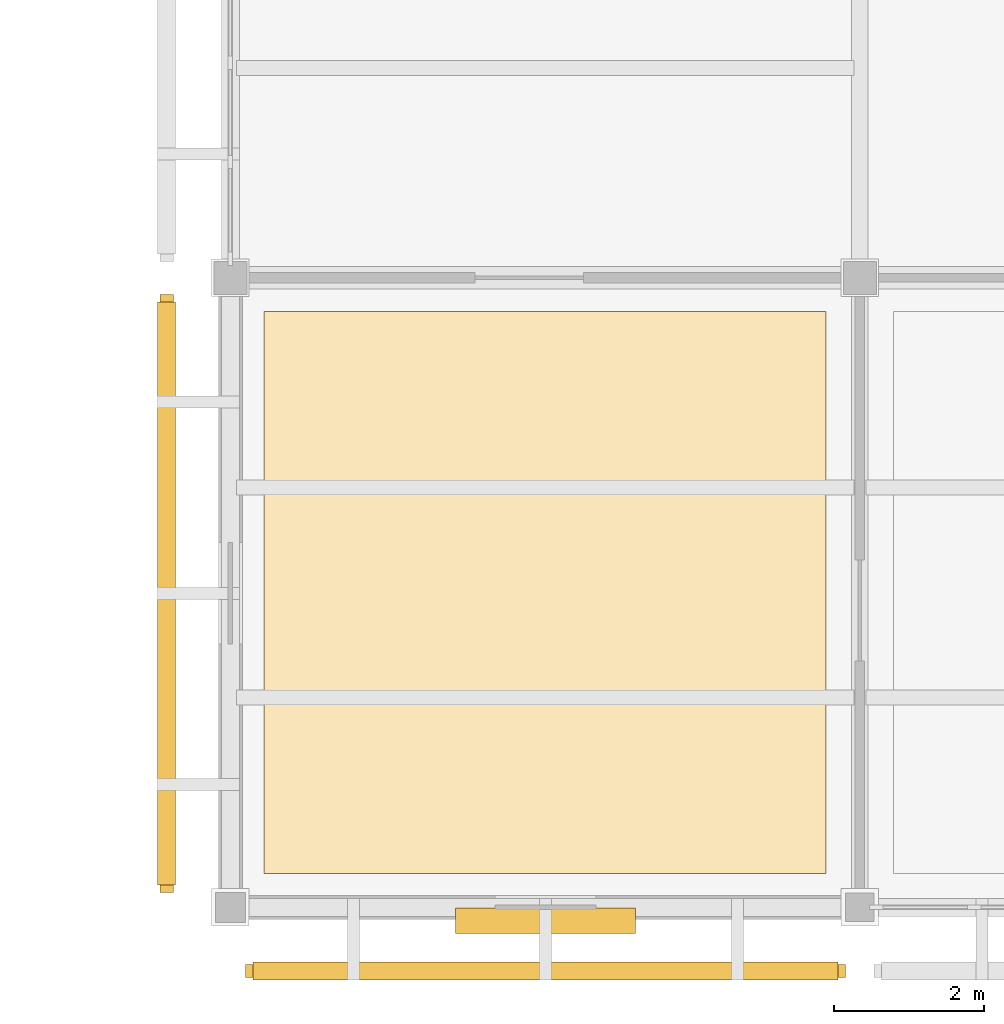
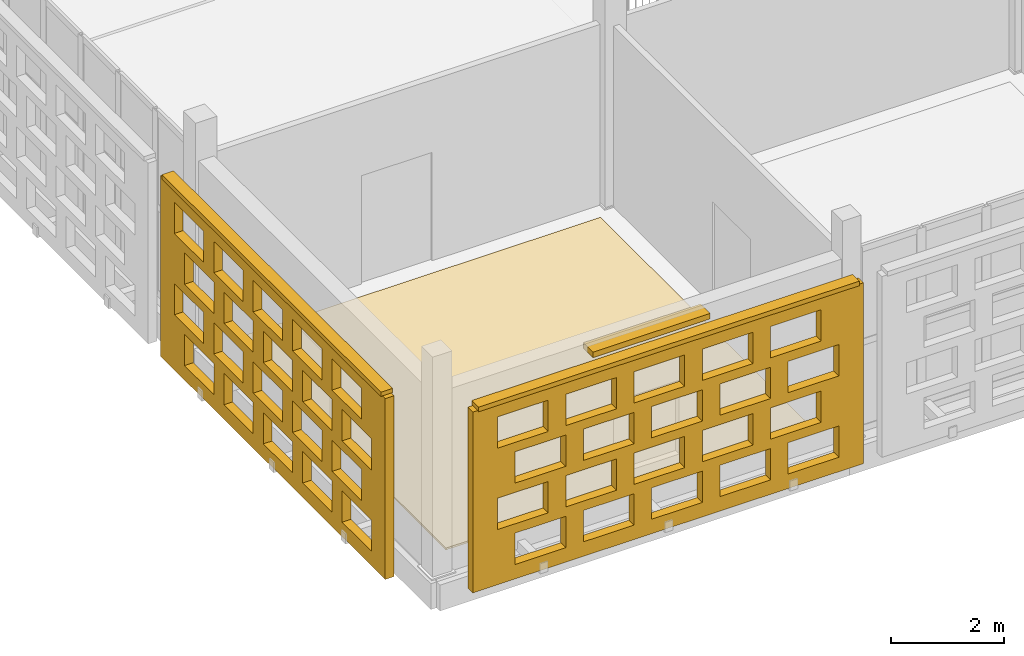
# One storey, part 133 of 203: 3 coverings, 3 shading devices, 40 openings.
"""IFC4 building model written with IfcOpenShell, lengths in metres."""

from ifc_helpers import new_model, si_unit, direction, frame, frame_2d, origin, origin_2d, place, context, subcontext, project, spatial, rectangle, extrude, material, layer, layer_set, type_object, element, save


model = new_model("IFC4")

# Units and contexts
model_context = context("Model", 3, precision=1e-05, world=origin(), true_north=direction((0.0, 1.0)))
body_context = subcontext(model_context, "Body", "Model", "MODEL_VIEW")
ifc_project = project(units=[si_unit("LENGTHUNIT", "METRE"), si_unit("AREAUNIT", "SQUARE_METRE"), si_unit("VOLUMEUNIT", "CUBIC_METRE"), si_unit("PLANEANGLEUNIT", "RADIAN"), si_unit("MASSUNIT", "GRAM", prefix="KILO")], contexts=[model_context])

# Site, building, storey
site_placement = place(None, origin())
site = spatial("IfcSite", under=ifc_project, at=site_placement, CompositionType="ELEMENT")
building_placement = place(site_placement, origin())
building = spatial("IfcBuilding", under=site, at=building_placement, Name="Varnapada Polytechnic", CompositionType="ELEMENT")
storey_placement = place(building_placement, frame((0.0, 0.0, 4.800048828125)))
storey = spatial("IfcBuildingStorey", under=building, at=storey_placement, Name="L01", CompositionType="ELEMENT", Elevation=4.800048828125)

# Covering
ifc_material_1 = material(Name="Acoustic Rubber Seminar Flooring")
ifc_layer_1 = layer(ifc_material_1, 0.0400390625)
ifc_layer_set_1 = layer_set([ifc_layer_1], Name="Acoustic Rubber Seminar Flooring")
covering_type_1 = type_object("IfcCoveringType", Name="Floor Finish FLR-06", PredefinedType="FLOORING", material=ifc_layer_set_1)
covering_1_placement = place(storey_placement, frame((12.60009765625, 4.199951171875, 0.0), z_axis=(0.0, 0.0, 1.0), x_axis=(1.0, 0.0, 0.0)))
element("IfcCovering", 1, at=covering_1_placement, inside=storey, type_object=covering_type_1, Name="L01 floor finish panel (2,1)", PredefinedType="FLOORING", context=body_context, shape_type="SweptSolid", body=[
    extrude(rectangle(XDim=7.5, YDim=7.5, at=origin_2d()), origin(), (0.0, 0.0, 1.0), 0.0400390625),
])

# Shading device
ifc_material_2 = material(Name="Anodised aluminium", Category="aluminium")
ifc_layer_2 = layer(ifc_material_2, 0.35009765625)
ifc_layer_set_2 = layer_set([ifc_layer_2], Name="Anodised aluminium")
shading_device_type_1 = type_object("IfcShadingDeviceType", Name="Solar Louvre LVR-01", PredefinedType="JALOUSIE", material=ifc_layer_set_2)
shading_device_1_placement = place(storey_placement, frame((12.60498046875, -0.179931640625, 3.760009765625), z_axis=(0.0, 0.0, 1.0), x_axis=(-1.0, 0.0, 0.0)))
element("IfcShadingDevice", 2, at=shading_device_1_placement, inside=storey, type_object=shading_device_type_1, Name="L01 aluminium sun louvre 13", PredefinedType="JALOUSIE", context=body_context, shape_type="SweptSolid", body=[
    extrude(rectangle(XDim=2.39990234375, YDim=0.340087890625, at=origin_2d()), origin(), (0.0, 0.0, 1.0), 0.1201171875),
])

# Covering, openings
ifc_material_3 = material(Name="Earth-toned architectural terracotta screen block", Category="masonry")
ifc_layer_3 = layer(ifc_material_3, 0.1201171875)
ifc_layer_set_3 = layer_set([ifc_layer_3], Name="Earth-toned architectural terracotta screen block")
covering_type_2 = type_object("IfcCoveringType", Name="Terracotta Screen Cladding CLD-01", PredefinedType="CLADDING", material=ifc_layer_set_3)
covering_2_placement = place(storey_placement, frame((16.610107421875, -0.85009765625, 0.0), z_axis=(0.0, 0.0, 1.0), x_axis=(-1.0, 0.0, 0.0)))
covering_2 = element("IfcCovering", 3, at=covering_2_placement, inside=storey, type_object=covering_type_2, Name="L01 perforated terracotta block screen (13)", PredefinedType="CLADDING", context=body_context, shape_type="SweptSolid", body=[
    extrude(rectangle(XDim=8.010009765625, YDim=0.179931640625, at=frame_2d((4.0048828125, 0.0))), origin(), (0.0, 0.0, 1.0), 3.919921875),
])
opening_1_placement = place(covering_2_placement, frame((0.5048828125, 0.0, 0.313720703125)))
element("IfcOpeningElement", 4, at=opening_1_placement, cuts=covering_2, Name="Screen perforation TBS-L01-012.1", PredefinedType="OPENING", context=body_context, shape_type="SweptSolid", body=[
    extrude(rectangle(XDim=1.0400390625, YDim=0.679931640625, at=frame_2d((0.52001953125, 0.33984375))), frame((0.0, 0.099853515625, 0.0), z_axis=(0.0, -1.0, 0.0), x_axis=(1.0, 0.0, 0.0)), (0.0, 0.0, 1.0), 0.199951171875),
])
opening_2_placement = place(covering_2_placement, frame((1.905029296875, 0.0, 0.313720703125)))
element("IfcOpeningElement", 5, at=opening_2_placement, cuts=covering_2, Name="Screen perforation TBS-L01-012.2", PredefinedType="OPENING", context=body_context, shape_type="SweptSolid", body=[
    extrude(rectangle(XDim=1.0400390625, YDim=0.679931640625, at=frame_2d((0.52001953125, 0.33984375))), frame((0.0, 0.099853515625, 0.0), z_axis=(0.0, -1.0, 0.0), x_axis=(1.0, 0.0, 0.0)), (0.0, 0.0, 1.0), 0.199951171875),
])
opening_3_placement = place(covering_2_placement, frame((3.304931640625, 0.0, 0.313720703125)))
element("IfcOpeningElement", 6, at=opening_3_placement, cuts=covering_2, Name="Screen perforation TBS-L01-012.3", PredefinedType="OPENING", context=body_context, shape_type="SweptSolid", body=[
    extrude(rectangle(XDim=1.0400390625, YDim=0.679931640625, at=frame_2d((0.52001953125, 0.33984375))), frame((0.0, 0.099853515625, 0.0), z_axis=(0.0, -1.0, 0.0), x_axis=(1.0, 0.0, 0.0)), (0.0, 0.0, 1.0), 0.199951171875),
])
opening_4_placement = place(covering_2_placement, frame((4.705078125, 0.0, 0.313720703125)))
element("IfcOpeningElement", 7, at=opening_4_placement, cuts=covering_2, Name="Screen perforation TBS-L01-012.4", PredefinedType="OPENING", context=body_context, shape_type="SweptSolid", body=[
    extrude(rectangle(XDim=1.0400390625, YDim=0.679931640625, at=frame_2d((0.52001953125, 0.33984375))), frame((0.0, 0.099853515625, 0.0), z_axis=(0.0, -1.0, 0.0), x_axis=(1.0, 0.0, 0.0)), (0.0, 0.0, 1.0), 0.199951171875),
])
opening_5_placement = place(covering_2_placement, frame((6.10498046875, 0.0, 0.313720703125)))
element("IfcOpeningElement", 8, at=opening_5_placement, cuts=covering_2, Name="Screen perforation TBS-L01-012.5", PredefinedType="OPENING", context=body_context, shape_type="SweptSolid", body=[
    extrude(rectangle(XDim=1.0400390625, YDim=0.679931640625, at=frame_2d((0.52001953125, 0.33984375))), frame((0.0, 0.099853515625, 0.0), z_axis=(0.0, -1.0, 0.0), x_axis=(1.0, 0.0, 0.0)), (0.0, 0.0, 1.0), 0.199951171875),
])
opening_6_placement = place(covering_2_placement, frame((0.864990234375, 0.0, 1.195556640625)))
element("IfcOpeningElement", 9, at=opening_6_placement, cuts=covering_2, Name="Screen perforation TBS-L01-012.6", PredefinedType="OPENING", context=body_context, shape_type="SweptSolid", body=[
    extrude(rectangle(XDim=1.0400390625, YDim=0.679931640625, at=frame_2d((0.52001953125, 0.33984375))), frame((0.0, 0.099853515625, 0.0), z_axis=(0.0, -1.0, 0.0), x_axis=(1.0, 0.0, 0.0)), (0.0, 0.0, 1.0), 0.199951171875),
])
opening_7_placement = place(covering_2_placement, frame((2.264892578125, 0.0, 1.195556640625)))
element("IfcOpeningElement", 10, at=opening_7_placement, cuts=covering_2, Name="Screen perforation TBS-L01-012.7", PredefinedType="OPENING", context=body_context, shape_type="SweptSolid", body=[
    extrude(rectangle(XDim=1.0400390625, YDim=0.679931640625, at=frame_2d((0.52001953125, 0.33984375))), frame((0.0, 0.099853515625, 0.0), z_axis=(0.0, -1.0, 0.0), x_axis=(1.0, 0.0, 0.0)), (0.0, 0.0, 1.0), 0.199951171875),
])
opening_8_placement = place(covering_2_placement, frame((3.6650390625, 0.0, 1.195556640625)))
element("IfcOpeningElement", 11, at=opening_8_placement, cuts=covering_2, Name="Screen perforation TBS-L01-012.8", PredefinedType="OPENING", context=body_context, shape_type="SweptSolid", body=[
    extrude(rectangle(XDim=1.0400390625, YDim=0.679931640625, at=frame_2d((0.52001953125, 0.33984375))), frame((0.0, 0.099853515625, 0.0), z_axis=(0.0, -1.0, 0.0), x_axis=(1.0, 0.0, 0.0)), (0.0, 0.0, 1.0), 0.199951171875),
])
opening_9_placement = place(covering_2_placement, frame((5.06494140625, 0.0, 1.195556640625)))
element("IfcOpeningElement", 12, at=opening_9_placement, cuts=covering_2, Name="Screen perforation TBS-L01-012.9", PredefinedType="OPENING", context=body_context, shape_type="SweptSolid", body=[
    extrude(rectangle(XDim=1.0400390625, YDim=0.679931640625, at=frame_2d((0.52001953125, 0.33984375))), frame((0.0, 0.099853515625, 0.0), z_axis=(0.0, -1.0, 0.0), x_axis=(1.0, 0.0, 0.0)), (0.0, 0.0, 1.0), 0.199951171875),
])
opening_10_placement = place(covering_2_placement, frame((6.465087890625, 0.0, 1.195556640625)))
element("IfcOpeningElement", 13, at=opening_10_placement, cuts=covering_2, Name="Screen perforation TBS-L01-012.10", PredefinedType="OPENING", context=body_context, shape_type="SweptSolid", body=[
    extrude(rectangle(XDim=1.0400390625, YDim=0.679931640625, at=frame_2d((0.52001953125, 0.33984375))), frame((0.0, 0.099853515625, 0.0), z_axis=(0.0, -1.0, 0.0), x_axis=(1.0, 0.0, 0.0)), (0.0, 0.0, 1.0), 0.199951171875),
])
opening_11_placement = place(covering_2_placement, frame((0.5048828125, 0.0, 2.07763671875)))
element("IfcOpeningElement", 14, at=opening_11_placement, cuts=covering_2, Name="Screen perforation TBS-L01-012.11", PredefinedType="OPENING", context=body_context, shape_type="SweptSolid", body=[
    extrude(rectangle(XDim=1.0400390625, YDim=0.679931640625, at=frame_2d((0.52001953125, 0.33984375))), frame((0.0, 0.099853515625, 0.0), z_axis=(0.0, -1.0, 0.0), x_axis=(1.0, 0.0, 0.0)), (0.0, 0.0, 1.0), 0.199951171875),
])
opening_12_placement = place(covering_2_placement, frame((1.905029296875, 0.0, 2.07763671875)))
element("IfcOpeningElement", 15, at=opening_12_placement, cuts=covering_2, Name="Screen perforation TBS-L01-012.12", PredefinedType="OPENING", context=body_context, shape_type="SweptSolid", body=[
    extrude(rectangle(XDim=1.0400390625, YDim=0.679931640625, at=frame_2d((0.52001953125, 0.33984375))), frame((0.0, 0.099853515625, 0.0), z_axis=(0.0, -1.0, 0.0), x_axis=(1.0, 0.0, 0.0)), (0.0, 0.0, 1.0), 0.199951171875),
])
opening_13_placement = place(covering_2_placement, frame((3.304931640625, 0.0, 2.07763671875)))
element("IfcOpeningElement", 16, at=opening_13_placement, cuts=covering_2, Name="Screen perforation TBS-L01-012.13", PredefinedType="OPENING", context=body_context, shape_type="SweptSolid", body=[
    extrude(rectangle(XDim=1.0400390625, YDim=0.679931640625, at=frame_2d((0.52001953125, 0.33984375))), frame((0.0, 0.099853515625, 0.0), z_axis=(0.0, -1.0, 0.0), x_axis=(1.0, 0.0, 0.0)), (0.0, 0.0, 1.0), 0.199951171875),
])
opening_14_placement = place(covering_2_placement, frame((4.705078125, 0.0, 2.07763671875)))
element("IfcOpeningElement", 17, at=opening_14_placement, cuts=covering_2, Name="Screen perforation TBS-L01-012.14", PredefinedType="OPENING", context=body_context, shape_type="SweptSolid", body=[
    extrude(rectangle(XDim=1.0400390625, YDim=0.679931640625, at=frame_2d((0.52001953125, 0.33984375))), frame((0.0, 0.099853515625, 0.0), z_axis=(0.0, -1.0, 0.0), x_axis=(1.0, 0.0, 0.0)), (0.0, 0.0, 1.0), 0.199951171875),
])
opening_15_placement = place(covering_2_placement, frame((6.10498046875, 0.0, 2.07763671875)))
element("IfcOpeningElement", 18, at=opening_15_placement, cuts=covering_2, Name="Screen perforation TBS-L01-012.15", PredefinedType="OPENING", context=body_context, shape_type="SweptSolid", body=[
    extrude(rectangle(XDim=1.0400390625, YDim=0.679931640625, at=frame_2d((0.52001953125, 0.33984375))), frame((0.0, 0.099853515625, 0.0), z_axis=(0.0, -1.0, 0.0), x_axis=(1.0, 0.0, 0.0)), (0.0, 0.0, 1.0), 0.199951171875),
])
opening_16_placement = place(covering_2_placement, frame((0.864990234375, 0.0, 2.959716796875)))
element("IfcOpeningElement", 19, at=opening_16_placement, cuts=covering_2, Name="Screen perforation TBS-L01-012.16", PredefinedType="OPENING", context=body_context, shape_type="SweptSolid", body=[
    extrude(rectangle(XDim=1.0400390625, YDim=0.679931640625, at=frame_2d((0.52001953125, 0.33984375))), frame((0.0, 0.099853515625, 0.0), z_axis=(0.0, -1.0, 0.0), x_axis=(1.0, 0.0, 0.0)), (0.0, 0.0, 1.0), 0.199951171875),
])
opening_17_placement = place(covering_2_placement, frame((2.264892578125, 0.0, 2.959716796875)))
element("IfcOpeningElement", 20, at=opening_17_placement, cuts=covering_2, Name="Screen perforation TBS-L01-012.17", PredefinedType="OPENING", context=body_context, shape_type="SweptSolid", body=[
    extrude(rectangle(XDim=1.0400390625, YDim=0.679931640625, at=frame_2d((0.52001953125, 0.33984375))), frame((0.0, 0.099853515625, 0.0), z_axis=(0.0, -1.0, 0.0), x_axis=(1.0, 0.0, 0.0)), (0.0, 0.0, 1.0), 0.199951171875),
])
opening_18_placement = place(covering_2_placement, frame((3.6650390625, 0.0, 2.959716796875)))
element("IfcOpeningElement", 21, at=opening_18_placement, cuts=covering_2, Name="Screen perforation TBS-L01-012.18", PredefinedType="OPENING", context=body_context, shape_type="SweptSolid", body=[
    extrude(rectangle(XDim=1.0400390625, YDim=0.679931640625, at=frame_2d((0.52001953125, 0.33984375))), frame((0.0, 0.099853515625, 0.0), z_axis=(0.0, -1.0, 0.0), x_axis=(1.0, 0.0, 0.0)), (0.0, 0.0, 1.0), 0.199951171875),
])
opening_19_placement = place(covering_2_placement, frame((5.06494140625, 0.0, 2.959716796875)))
element("IfcOpeningElement", 22, at=opening_19_placement, cuts=covering_2, Name="Screen perforation TBS-L01-012.19", PredefinedType="OPENING", context=body_context, shape_type="SweptSolid", body=[
    extrude(rectangle(XDim=1.0400390625, YDim=0.679931640625, at=frame_2d((0.52001953125, 0.33984375))), frame((0.0, 0.099853515625, 0.0), z_axis=(0.0, -1.0, 0.0), x_axis=(1.0, 0.0, 0.0)), (0.0, 0.0, 1.0), 0.199951171875),
])
opening_20_placement = place(covering_2_placement, frame((6.465087890625, 0.0, 2.959716796875)))
element("IfcOpeningElement", 23, at=opening_20_placement, cuts=covering_2, Name="Screen perforation TBS-L01-012.20", PredefinedType="OPENING", context=body_context, shape_type="SweptSolid", body=[
    extrude(rectangle(XDim=1.0400390625, YDim=0.679931640625, at=frame_2d((0.52001953125, 0.33984375))), frame((0.0, 0.099853515625, 0.0), z_axis=(0.0, -1.0, 0.0), x_axis=(1.0, 0.0, 0.0)), (0.0, 0.0, 1.0), 0.199951171875),
])

covering_3_placement = place(storey_placement, frame((7.550048828125, 0.199951171875, 0.0), z_axis=(0.0, 0.0, 1.0), x_axis=(0.0, 1.0, 0.0)))
covering_3 = element("IfcCovering", 24, at=covering_3_placement, inside=storey, type_object=covering_type_2, Name="L01 perforated terracotta block screen (14)", PredefinedType="CLADDING", context=body_context, shape_type="SweptSolid", body=[
    extrude(rectangle(XDim=7.97998046875, YDim=0.179931640625, at=frame_2d((3.989990234375, 0.0))), origin(), (0.0, 0.0, 1.0), 3.919921875),
])
opening_21_placement = place(covering_3_placement, frame((0.489990234375, 0.0, 0.313720703125)))
element("IfcOpeningElement", 25, at=opening_21_placement, cuts=covering_3, Name="Screen perforation TBS-L01-013.1", PredefinedType="OPENING", context=body_context, shape_type="SweptSolid", body=[
    extrude(rectangle(XDim=1.0400390625, YDim=0.679931640625, at=frame_2d((0.52001953125, 0.33984375))), frame((0.0, 0.099853515625, 0.0), z_axis=(0.0, -1.0, 0.0), x_axis=(1.0, 0.0, 0.0)), (0.0, 0.0, 1.0), 0.199951171875),
])
opening_22_placement = place(covering_3_placement, frame((1.889892578125, 0.0, 0.313720703125)))
element("IfcOpeningElement", 26, at=opening_22_placement, cuts=covering_3, Name="Screen perforation TBS-L01-013.2", PredefinedType="OPENING", context=body_context, shape_type="SweptSolid", body=[
    extrude(rectangle(XDim=1.0400390625, YDim=0.679931640625, at=frame_2d((0.52001953125, 0.33984375))), frame((0.0, 0.099853515625, 0.0), z_axis=(0.0, -1.0, 0.0), x_axis=(1.0, 0.0, 0.0)), (0.0, 0.0, 1.0), 0.199951171875),
])
opening_23_placement = place(covering_3_placement, frame((3.2900390625, 0.0, 0.313720703125)))
element("IfcOpeningElement", 27, at=opening_23_placement, cuts=covering_3, Name="Screen perforation TBS-L01-013.3", PredefinedType="OPENING", context=body_context, shape_type="SweptSolid", body=[
    extrude(rectangle(XDim=1.0400390625, YDim=0.679931640625, at=frame_2d((0.52001953125, 0.33984375))), frame((0.0, 0.099853515625, 0.0), z_axis=(0.0, -1.0, 0.0), x_axis=(1.0, 0.0, 0.0)), (0.0, 0.0, 1.0), 0.199951171875),
])
opening_24_placement = place(covering_3_placement, frame((4.68994140625, 0.0, 0.313720703125)))
element("IfcOpeningElement", 28, at=opening_24_placement, cuts=covering_3, Name="Screen perforation TBS-L01-013.4", PredefinedType="OPENING", context=body_context, shape_type="SweptSolid", body=[
    extrude(rectangle(XDim=1.0400390625, YDim=0.679931640625, at=frame_2d((0.52001953125, 0.33984375))), frame((0.0, 0.099853515625, 0.0), z_axis=(0.0, -1.0, 0.0), x_axis=(1.0, 0.0, 0.0)), (0.0, 0.0, 1.0), 0.199951171875),
])
opening_25_placement = place(covering_3_placement, frame((6.090087890625, 0.0, 0.313720703125)))
element("IfcOpeningElement", 29, at=opening_25_placement, cuts=covering_3, Name="Screen perforation TBS-L01-013.5", PredefinedType="OPENING", context=body_context, shape_type="SweptSolid", body=[
    extrude(rectangle(XDim=1.0400390625, YDim=0.679931640625, at=frame_2d((0.52001953125, 0.33984375))), frame((0.0, 0.099853515625, 0.0), z_axis=(0.0, -1.0, 0.0), x_axis=(1.0, 0.0, 0.0)), (0.0, 0.0, 1.0), 0.199951171875),
])
opening_26_placement = place(covering_3_placement, frame((0.85009765625, 0.0, 1.195556640625)))
element("IfcOpeningElement", 30, at=opening_26_placement, cuts=covering_3, Name="Screen perforation TBS-L01-013.6", PredefinedType="OPENING", context=body_context, shape_type="SweptSolid", body=[
    extrude(rectangle(XDim=1.0400390625, YDim=0.679931640625, at=frame_2d((0.52001953125, 0.33984375))), frame((0.0, 0.099853515625, 0.0), z_axis=(0.0, -1.0, 0.0), x_axis=(1.0, 0.0, 0.0)), (0.0, 0.0, 1.0), 0.199951171875),
])
opening_27_placement = place(covering_3_placement, frame((2.25, 0.0, 1.195556640625)))
element("IfcOpeningElement", 31, at=opening_27_placement, cuts=covering_3, Name="Screen perforation TBS-L01-013.7", PredefinedType="OPENING", context=body_context, shape_type="SweptSolid", body=[
    extrude(rectangle(XDim=1.0400390625, YDim=0.679931640625, at=frame_2d((0.52001953125, 0.33984375))), frame((0.0, 0.099853515625, 0.0), z_axis=(0.0, -1.0, 0.0), x_axis=(1.0, 0.0, 0.0)), (0.0, 0.0, 1.0), 0.199951171875),
])
opening_28_placement = place(covering_3_placement, frame((3.64990234375, 0.0, 1.195556640625)))
element("IfcOpeningElement", 32, at=opening_28_placement, cuts=covering_3, Name="Screen perforation TBS-L01-013.8", PredefinedType="OPENING", context=body_context, shape_type="SweptSolid", body=[
    extrude(rectangle(XDim=1.0400390625, YDim=0.679931640625, at=frame_2d((0.52001953125, 0.33984375))), frame((0.0, 0.099853515625, 0.0), z_axis=(0.0, -1.0, 0.0), x_axis=(1.0, 0.0, 0.0)), (0.0, 0.0, 1.0), 0.199951171875),
])
opening_29_placement = place(covering_3_placement, frame((5.050048828125, 0.0, 1.195556640625)))
element("IfcOpeningElement", 33, at=opening_29_placement, cuts=covering_3, Name="Screen perforation TBS-L01-013.9", PredefinedType="OPENING", context=body_context, shape_type="SweptSolid", body=[
    extrude(rectangle(XDim=1.0400390625, YDim=0.679931640625, at=frame_2d((0.52001953125, 0.33984375))), frame((0.0, 0.099853515625, 0.0), z_axis=(0.0, -1.0, 0.0), x_axis=(1.0, 0.0, 0.0)), (0.0, 0.0, 1.0), 0.199951171875),
])
opening_30_placement = place(covering_3_placement, frame((6.449951171875, 0.0, 1.195556640625)))
element("IfcOpeningElement", 34, at=opening_30_placement, cuts=covering_3, Name="Screen perforation TBS-L01-013.10", PredefinedType="OPENING", context=body_context, shape_type="SweptSolid", body=[
    extrude(rectangle(XDim=1.0400390625, YDim=0.679931640625, at=frame_2d((0.52001953125, 0.33984375))), frame((0.0, 0.099853515625, 0.0), z_axis=(0.0, -1.0, 0.0), x_axis=(1.0, 0.0, 0.0)), (0.0, 0.0, 1.0), 0.199951171875),
])
opening_31_placement = place(covering_3_placement, frame((0.489990234375, 0.0, 2.07763671875)))
element("IfcOpeningElement", 35, at=opening_31_placement, cuts=covering_3, Name="Screen perforation TBS-L01-013.11", PredefinedType="OPENING", context=body_context, shape_type="SweptSolid", body=[
    extrude(rectangle(XDim=1.0400390625, YDim=0.679931640625, at=frame_2d((0.52001953125, 0.33984375))), frame((0.0, 0.099853515625, 0.0), z_axis=(0.0, -1.0, 0.0), x_axis=(1.0, 0.0, 0.0)), (0.0, 0.0, 1.0), 0.199951171875),
])
opening_32_placement = place(covering_3_placement, frame((1.889892578125, 0.0, 2.07763671875)))
element("IfcOpeningElement", 36, at=opening_32_placement, cuts=covering_3, Name="Screen perforation TBS-L01-013.12", PredefinedType="OPENING", context=body_context, shape_type="SweptSolid", body=[
    extrude(rectangle(XDim=1.0400390625, YDim=0.679931640625, at=frame_2d((0.52001953125, 0.33984375))), frame((0.0, 0.099853515625, 0.0), z_axis=(0.0, -1.0, 0.0), x_axis=(1.0, 0.0, 0.0)), (0.0, 0.0, 1.0), 0.199951171875),
])
opening_33_placement = place(covering_3_placement, frame((3.2900390625, 0.0, 2.07763671875)))
element("IfcOpeningElement", 37, at=opening_33_placement, cuts=covering_3, Name="Screen perforation TBS-L01-013.13", PredefinedType="OPENING", context=body_context, shape_type="SweptSolid", body=[
    extrude(rectangle(XDim=1.0400390625, YDim=0.679931640625, at=frame_2d((0.52001953125, 0.33984375))), frame((0.0, 0.099853515625, 0.0), z_axis=(0.0, -1.0, 0.0), x_axis=(1.0, 0.0, 0.0)), (0.0, 0.0, 1.0), 0.199951171875),
])
opening_34_placement = place(covering_3_placement, frame((4.68994140625, 0.0, 2.07763671875)))
element("IfcOpeningElement", 38, at=opening_34_placement, cuts=covering_3, Name="Screen perforation TBS-L01-013.14", PredefinedType="OPENING", context=body_context, shape_type="SweptSolid", body=[
    extrude(rectangle(XDim=1.0400390625, YDim=0.679931640625, at=frame_2d((0.52001953125, 0.33984375))), frame((0.0, 0.099853515625, 0.0), z_axis=(0.0, -1.0, 0.0), x_axis=(1.0, 0.0, 0.0)), (0.0, 0.0, 1.0), 0.199951171875),
])
opening_35_placement = place(covering_3_placement, frame((6.090087890625, 0.0, 2.07763671875)))
element("IfcOpeningElement", 39, at=opening_35_placement, cuts=covering_3, Name="Screen perforation TBS-L01-013.15", PredefinedType="OPENING", context=body_context, shape_type="SweptSolid", body=[
    extrude(rectangle(XDim=1.0400390625, YDim=0.679931640625, at=frame_2d((0.52001953125, 0.33984375))), frame((0.0, 0.099853515625, 0.0), z_axis=(0.0, -1.0, 0.0), x_axis=(1.0, 0.0, 0.0)), (0.0, 0.0, 1.0), 0.199951171875),
])
opening_36_placement = place(covering_3_placement, frame((0.85009765625, 0.0, 2.959716796875)))
element("IfcOpeningElement", 40, at=opening_36_placement, cuts=covering_3, Name="Screen perforation TBS-L01-013.16", PredefinedType="OPENING", context=body_context, shape_type="SweptSolid", body=[
    extrude(rectangle(XDim=1.0400390625, YDim=0.679931640625, at=frame_2d((0.52001953125, 0.33984375))), frame((0.0, 0.099853515625, 0.0), z_axis=(0.0, -1.0, 0.0), x_axis=(1.0, 0.0, 0.0)), (0.0, 0.0, 1.0), 0.199951171875),
])
opening_37_placement = place(covering_3_placement, frame((2.25, 0.0, 2.959716796875)))
element("IfcOpeningElement", 41, at=opening_37_placement, cuts=covering_3, Name="Screen perforation TBS-L01-013.17", PredefinedType="OPENING", context=body_context, shape_type="SweptSolid", body=[
    extrude(rectangle(XDim=1.0400390625, YDim=0.679931640625, at=frame_2d((0.52001953125, 0.33984375))), frame((0.0, 0.099853515625, 0.0), z_axis=(0.0, -1.0, 0.0), x_axis=(1.0, 0.0, 0.0)), (0.0, 0.0, 1.0), 0.199951171875),
])
opening_38_placement = place(covering_3_placement, frame((3.64990234375, 0.0, 2.959716796875)))
element("IfcOpeningElement", 42, at=opening_38_placement, cuts=covering_3, Name="Screen perforation TBS-L01-013.18", PredefinedType="OPENING", context=body_context, shape_type="SweptSolid", body=[
    extrude(rectangle(XDim=1.0400390625, YDim=0.679931640625, at=frame_2d((0.52001953125, 0.33984375))), frame((0.0, 0.099853515625, 0.0), z_axis=(0.0, -1.0, 0.0), x_axis=(1.0, 0.0, 0.0)), (0.0, 0.0, 1.0), 0.199951171875),
])
opening_39_placement = place(covering_3_placement, frame((5.050048828125, 0.0, 2.959716796875)))
element("IfcOpeningElement", 43, at=opening_39_placement, cuts=covering_3, Name="Screen perforation TBS-L01-013.19", PredefinedType="OPENING", context=body_context, shape_type="SweptSolid", body=[
    extrude(rectangle(XDim=1.0400390625, YDim=0.679931640625, at=frame_2d((0.52001953125, 0.33984375))), frame((0.0, 0.099853515625, 0.0), z_axis=(0.0, -1.0, 0.0), x_axis=(1.0, 0.0, 0.0)), (0.0, 0.0, 1.0), 0.199951171875),
])
opening_40_placement = place(covering_3_placement, frame((6.449951171875, 0.0, 2.959716796875)))
element("IfcOpeningElement", 44, at=opening_40_placement, cuts=covering_3, Name="Screen perforation TBS-L01-013.20", PredefinedType="OPENING", context=body_context, shape_type="SweptSolid", body=[
    extrude(rectangle(XDim=1.0400390625, YDim=0.679931640625, at=frame_2d((0.52001953125, 0.33984375))), frame((0.0, 0.099853515625, 0.0), z_axis=(0.0, -1.0, 0.0), x_axis=(1.0, 0.0, 0.0)), (0.0, 0.0, 1.0), 0.199951171875),
])

# Shading devices
ifc_layer_4 = layer(ifc_material_3, 0.179931640625)
ifc_layer_set_4 = layer_set([ifc_layer_4], Name="Earth-toned architectural terracotta screen block")
shading_device_type_2 = type_object("IfcShadingDeviceType", Name="Terracotta Screen SCR-02", PredefinedType="USERDEFINED", material=ifc_layer_set_4)
shading_device_2_placement = place(storey_placement, frame((12.60498046875, -0.85009765625, 3.909912109375), z_axis=(0.0, 0.0, 1.0), x_axis=(-1.0, 0.0, 0.0)))
element("IfcShadingDevice", 45, at=shading_device_2_placement, inside=storey, type_object=shading_device_type_2, Name="L01 perforated terracotta screen hood 95", ObjectType="SCREEN", PredefinedType="USERDEFINED", context=body_context, shape_type="SweptSolid", body=[
    extrude(rectangle(XDim=7.81005859375, YDim=0.239990234375, at=origin_2d()), origin(), (0.0, 0.0, 1.0), 0.10009765625),
])
shading_device_3_placement = place(storey_placement, frame((7.550048828125, 4.18994140625, 3.909912109375), z_axis=(0.0, 0.0, 1.0), x_axis=(0.0, 1.0, 0.0)))
element("IfcShadingDevice", 46, at=shading_device_3_placement, inside=storey, type_object=shading_device_type_2, Name="L01 perforated terracotta screen hood 96", ObjectType="SCREEN", PredefinedType="USERDEFINED", context=body_context, shape_type="SweptSolid", body=[
    extrude(rectangle(XDim=7.780029296875, YDim=0.239990234375, at=origin_2d()), origin(), (0.0, 0.0, 1.0), 0.10009765625),
])

save(model, "model.ifc")
